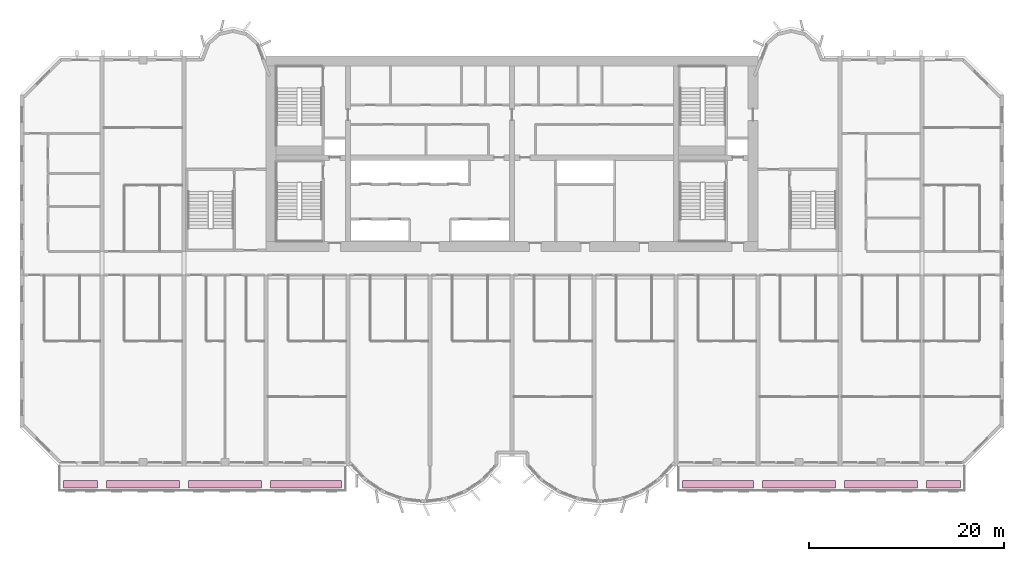
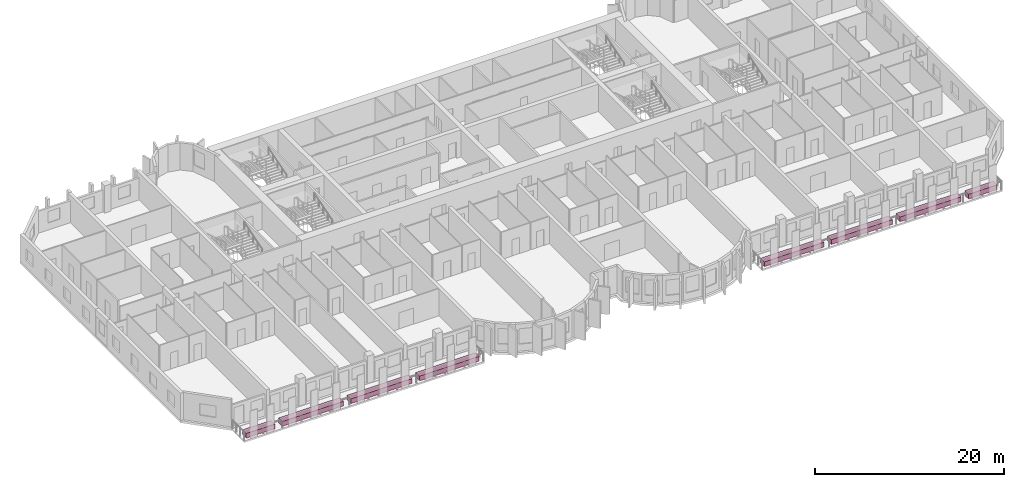
# One storey, part 15 of 15: 8 furniture elements.
"""IFC4 building model written with IfcOpenShell, lengths in metres."""

import ifcopenshell
import ifcopenshell.guid

model = None  # the IFC model being written
_history = None  # IfcOwnerHistory: only IFC2X3 demands one
_inside = {}  # id of a spatial element -> (the spatial element, [elements in it])
_under = {}  # id of a project, library or spatial element -> (it, [spatial elements below it])
_declared = {}  # id of a project -> (the project, [libraries it declares])
_typed = {}  # id of a type object -> (the type object, [elements of that type])
_made_of = {}  # id of a material, layer set ... -> (it, [elements and type objects made of it])


def new_model(schema):
    """Start an empty IFC model of exactly this schema.

    Asked for "IFC4X3", IfcOpenShell would pick the latest addendum, in which some entities
    have other attributes; the version numbers below select the first issue.
    IFC2X3 requires an IfcOwnerHistory on every rooted entity: one is made here for all.
    """
    global model, _history
    if schema == "IFC4X3":
        model = ifcopenshell.file(schema_version=(4, 3, 0, 0))
    else:
        model = ifcopenshell.file(schema=schema)
    _inside.clear()
    _under.clear()
    _declared.clear()
    _typed.clear()
    _made_of.clear()
    _history = None
    if model.schema == "IFC2X3":
        org = make("IfcOrganization", Name="unknown")
        user = make(
            "IfcPersonAndOrganization",
            ThePerson=make("IfcPerson", FamilyName="unknown"),
            TheOrganization=org,
        )
        app = make(
            "IfcApplication",
            ApplicationDeveloper=org,
            Version="unknown",
            ApplicationFullName="unknown",
            ApplicationIdentifier="unknown",
        )
        _history = make(
            "IfcOwnerHistory",
            OwningUser=user,
            OwningApplication=app,
            ChangeAction="ADDED",
            CreationDate=0,
        )
    return model


def make(cls, **values):
    """One entity of the class cls with the attributes given. An attribute that is None is left unset."""
    return model.create_entity(
        cls, **{name: value for name, value in values.items() if value is not None}
    )


def rooted(cls, **values):
    """An entity with a GlobalId (a new one), such as an element, a storey or a relation."""
    return make(cls, GlobalId=ifcopenshell.guid.new(), OwnerHistory=_history, **values)


def si_unit(unit_type, name, prefix=None):
    """IfcSIUnit, for example si_unit("LENGTHUNIT", "METRE", prefix="MILLI")."""
    return make("IfcSIUnit", UnitType=unit_type, Prefix=prefix, Name=name)


def assignment(units):
    """IfcUnitAssignment: the units of a project."""
    return None if units is None else make("IfcUnitAssignment", Units=units)


def point(xyz):
    """IfcCartesianPoint."""
    return None if xyz is None else make("IfcCartesianPoint", Coordinates=xyz)


def direction(xyz):
    """IfcDirection."""
    return None if xyz is None else make("IfcDirection", DirectionRatios=xyz)


def frame(location, z_axis=None, x_axis=None):
    """IfcAxis2Placement3D, a coordinate frame: its origin and axes. An axis left out is left unset."""
    return make(
        "IfcAxis2Placement3D",
        Location=point(location),
        Axis=direction(z_axis),
        RefDirection=direction(x_axis),
    )


def frame_2d(location, x_axis=None):
    """IfcAxis2Placement2D, a coordinate frame in the plane: its origin and x axis."""
    return make(
        "IfcAxis2Placement2D", Location=point(location), RefDirection=direction(x_axis)
    )


def origin():
    """The frame at (0, 0, 0) with its axes left unset."""
    return frame((0.0, 0.0, 0.0))


def origin_2d():
    """The frame at (0, 0) in the plane with its x axis left unset."""
    return frame_2d((0.0, 0.0))


def place(relative_to, where):
    """IfcLocalPlacement: puts the frame where relative to a parent placement (None: the world)."""
    return make(
        "IfcLocalPlacement", PlacementRelTo=relative_to, RelativePlacement=where
    )


def context(
    kind, dimensions, precision=None, world=None, true_north=None, identifier=None
):
    """IfcGeometricRepresentationContext, for example the 3D "Model" context."""
    return make(
        "IfcGeometricRepresentationContext",
        ContextIdentifier=identifier,
        ContextType=kind,
        CoordinateSpaceDimension=dimensions,
        Precision=precision,
        WorldCoordinateSystem=world,
        TrueNorth=true_north,
    )


def subcontext(parent, identifier, kind, view, scale=None):
    """IfcGeometricRepresentationSubContext, for example "Body" below "Model"."""
    return make(
        "IfcGeometricRepresentationSubContext",
        ContextIdentifier=identifier,
        ContextType=kind,
        ParentContext=parent,
        TargetScale=scale,
        TargetView=view,
    )


def project(units=None, contexts=None):
    """IfcProject with its units and contexts."""
    return rooted(
        "IfcProject",
        Name="project",
        RepresentationContexts=contexts,
        UnitsInContext=assignment(units),
    )


def spatial(cls, under=None, at=None, **own):
    """A site, building, storey or space (cls), placed at a placement, below another one or the project."""
    s = rooted(cls, ObjectPlacement=at, **own)
    if under is not None:
        _under.setdefault(under.id(), (under, []))[1].append(s)
    return s


def profile(cls, at=None, kind="AREA", **sizes):
    """A parametric profile (cls). Its sizes go by their IFC names, for example OverallWidth=200.0."""
    return make(cls, ProfileType=kind, Position=at, **sizes)


def rectangle(**sizes):
    """IfcRectangleProfileDef."""
    return profile("IfcRectangleProfileDef", **sizes)


def extrude(swept, where, along, depth):
    """IfcExtrudedAreaSolid: the profile swept, set in the frame where, extruded along a direction by depth."""
    return make(
        "IfcExtrudedAreaSolid",
        SweptArea=swept,
        Position=where,
        ExtrudedDirection=direction(along),
        Depth=depth,
    )


def shape(context_of_items, identifier, shape_type, items):
    """IfcShapeRepresentation: the items that make up one representation, for example the "Body"."""
    return make(
        "IfcShapeRepresentation",
        ContextOfItems=context_of_items,
        RepresentationIdentifier=identifier,
        RepresentationType=shape_type,
        Items=items,
    )


def source(mapping_origin, context_of_items, identifier, shape_type, items):
    """IfcRepresentationMap: a shape defined once, which mapped items show again and again."""
    return make(
        "IfcRepresentationMap",
        MappingOrigin=mapping_origin,
        MappedRepresentation=shape(context_of_items, identifier, shape_type, items),
    )


def transform(
    local_origin,
    x_axis=None,
    y_axis=None,
    z_axis=None,
    scale=None,
    scale2=None,
    scale3=None,
    uniform=True,
):
    """IfcCartesianTransformationOperator3D, or its non-uniform kind. x_axis, y_axis, z_axis: its Axis1, 2, 3."""
    if uniform:
        return make(
            "IfcCartesianTransformationOperator3D",
            Axis1=direction(x_axis),
            Axis2=direction(y_axis),
            LocalOrigin=point(local_origin),
            Scale=scale,
            Axis3=direction(z_axis),
        )
    return make(
        "IfcCartesianTransformationOperator3DnonUniform",
        Axis1=direction(x_axis),
        Axis2=direction(y_axis),
        LocalOrigin=point(local_origin),
        Scale=scale,
        Axis3=direction(z_axis),
        Scale2=scale2,
        Scale3=scale3,
    )


def mapped(mapping_source, mapping_target):
    """IfcMappedItem: shows the shape of a source again, moved by a transform."""
    return make(
        "IfcMappedItem", MappingSource=mapping_source, MappingTarget=mapping_target
    )


def material(Name=None, Category=None):
    """IfcMaterial."""
    return make("IfcMaterial", Name=Name, Category=Category)


def made_of(thing, what):
    """Note that an element or type object is made of a material, layer set ...; save() writes the relation."""
    if what is not None:
        _made_of.setdefault(what.id(), (what, []))[1].append(thing)
    return thing


def type_object(cls, material=None, **own):
    """A type object (cls), such as IfcWallType, which elements share."""
    return made_of(rooted(cls, **own), material)


def element(
    cls,
    number,
    at=None,
    inside=None,
    cuts=None,
    type_object=None,
    material=None,
    context=None,
    identifier="Body",
    shape_type=None,
    held_by="IfcProductDefinitionShape",
    body=None,
    shapes=None,
    **own,
):
    """One element of the class cls, such as IfcWall. Its Tag is "e" and its number.

    at: its placement. inside: the storey or other place that contains it. cuts: it is an
    opening in that element (IfcRelVoidsElement). A single representation is given by context,
    identifier, shape_type and body (its items); several are given by shapes. held_by: the class
    of the entity that holds the representations. save() writes the other relations.
    """
    e = rooted(cls, Tag="e%d" % number, ObjectPlacement=at, **own)
    if body is not None:
        shapes = [shape(context, identifier, shape_type, body)]
    if shapes is not None:
        e.Representation = make(held_by, Representations=shapes)
    if inside is not None:
        _inside.setdefault(inside.id(), (inside, []))[1].append(e)
    if cuts is not None:
        rooted(
            "IfcRelVoidsElement", RelatingBuildingElement=cuts, RelatedOpeningElement=e
        )
    if type_object is not None:
        _typed.setdefault(type_object.id(), (type_object, []))[1].append(e)
    return made_of(e, material)


def aggregate(whole, parts):
    """IfcRelAggregates: a whole, such as a stair, and the parts it consists of."""
    return rooted("IfcRelAggregates", RelatingObject=whole, RelatedObjects=parts)


def save(model, path):
    """Write the relations noted so far, then the file.

    IfcRelAggregates (storeys below a building ...), IfcRelContainedInSpatialStructure (elements
    in a storey), IfcRelDefinesByType, IfcRelAssociatesMaterial and IfcRelDeclares: one each for
    every whole, place, type object, material and project.
    """
    for whole, parts in _under.values():
        aggregate(whole, parts)
    for where, things in _inside.values():
        rooted(
            "IfcRelContainedInSpatialStructure",
            RelatedElements=things,
            RelatingStructure=where,
        )
    for kind, things in _typed.values():
        rooted("IfcRelDefinesByType", RelatedObjects=things, RelatingType=kind)
    for what, things in _made_of.values():
        rooted("IfcRelAssociatesMaterial", RelatedObjects=things, RelatingMaterial=what)
    for by, libraries in _declared.values():
        rooted("IfcRelDeclares", RelatingContext=by, RelatedDefinitions=libraries)
    model.write(path)


model = new_model("IFC4")

# Units and contexts
model_context = context("Model", 3, precision=1e-05, world=origin(), true_north=direction((0.0, 1.0)))
body_context = subcontext(model_context, "Body", "Model", "MODEL_VIEW")
ifc_project = project(units=[si_unit("LENGTHUNIT", "METRE"), si_unit("AREAUNIT", "SQUARE_METRE"), si_unit("VOLUMEUNIT", "CUBIC_METRE"), si_unit("PLANEANGLEUNIT", "RADIAN"), si_unit("MASSUNIT", "GRAM", prefix="KILO")], contexts=[model_context])

# Site, building, storey
site_placement = place(None, origin())
site = spatial("IfcSite", under=ifc_project, at=site_placement, CompositionType="ELEMENT")
building_placement = place(site_placement, origin())
building = spatial("IfcBuilding", under=site, at=building_placement, Name="Vanashikhar Sky Hotel", CompositionType="ELEMENT")
storey_placement = place(building_placement, frame((0.0, 0.0, 69.60009765625)))
storey = spatial("IfcBuildingStorey", under=building, at=storey_placement, Name="L16", CompositionType="ELEMENT", Elevation=69.60009765625)

# Furniture
ifc_material = material(Name="Planting soil and shrubs")
furniture_type = type_object("IfcFurnitureType", Name="Planter trough", AssemblyPlace="NOTDEFINED", PredefinedType="USERDEFINED", material=ifc_material)
shared_shape_1 = source(origin(), body_context, "Body", "SweptSolid", [
    extrude(rectangle(XDim=3.5, YDim=0.800048828125, at=origin_2d()), origin(), (0.0, 0.0, 1.0), 0.60009765625),
])
for number, where, z_axis, x_axis, name in (
    (1, (6.199951171875, -1.85009765625, -0.050048828125), (0.0, 0.0, 1.0), (1.0, 0.0, 0.0), "PLANTER with climbers"),
    (2, (94.60009765625, -1.85009765625, -0.050048828125), (0.0, 0.0, 1.0), (1.0, 0.0, 0.0), "PLANTER with climbers"),
):
    element("IfcFurniture", number, at=place(storey_placement, frame(where, z_axis=z_axis, x_axis=x_axis)), inside=storey, type_object=furniture_type, Name=name, ObjectType="PLANTER", PredefinedType="USERDEFINED", context=body_context, shape_type="MappedRepresentation", body=[
        mapped(shared_shape_1, transform((0.0, 0.0, 0.0), scale=1.0)),
    ])
shared_shape_2 = source(origin(), body_context, "Body", "SweptSolid", [
    extrude(rectangle(XDim=7.5, YDim=0.800048828125, at=origin_2d()), origin(), (0.0, 0.0, 1.0), 0.60009765625),
])
for number, where, z_axis, x_axis, name in (
    (3, (12.60009765625, -1.85009765625, -0.050048828125), (0.0, 0.0, 1.0), (1.0, 0.0, 0.0), "PLANTER with climbers"),
    (4, (21.0, -1.85009765625, -0.050048828125), (0.0, 0.0, 1.0), (1.0, 0.0, 0.0), "PLANTER with climbers"),
    (5, (79.800048828125, -1.85009765625, -0.050048828125), (0.0, 0.0, 1.0), (1.0, 0.0, 0.0), "PLANTER with climbers"),
    (6, (88.199951171875, -1.85009765625, -0.050048828125), (0.0, 0.0, 1.0), (1.0, 0.0, 0.0), "PLANTER with climbers"),
):
    element("IfcFurniture", number, at=place(storey_placement, frame(where, z_axis=z_axis, x_axis=x_axis)), inside=storey, type_object=furniture_type, Name=name, ObjectType="PLANTER", PredefinedType="USERDEFINED", context=body_context, shape_type="MappedRepresentation", body=[
        mapped(shared_shape_2, transform((0.0, 0.0, 0.0), scale=1.0)),
    ])
shared_shape_3 = source(origin(), body_context, "Body", "SweptSolid", [
    extrude(rectangle(XDim=7.300048828125, YDim=0.800048828125, at=origin_2d()), origin(), (0.0, 0.0, 1.0), 0.60009765625),
])
for number, where, z_axis, x_axis, name in (
    (7, (29.300048828125, -1.85009765625, -0.050048828125), (0.0, 0.0, 1.0), (1.0, 0.0, 0.0), "PLANTER with climbers"),
    (8, (71.5, -1.85009765625, -0.050048828125), (0.0, 0.0, 1.0), (1.0, 0.0, 0.0), "PLANTER with climbers"),
):
    element("IfcFurniture", number, at=place(storey_placement, frame(where, z_axis=z_axis, x_axis=x_axis)), inside=storey, type_object=furniture_type, Name=name, ObjectType="PLANTER", PredefinedType="USERDEFINED", context=body_context, shape_type="MappedRepresentation", body=[
        mapped(shared_shape_3, transform((0.0, 0.0, 0.0), scale=1.0)),
    ])

save(model, "model.ifc")
